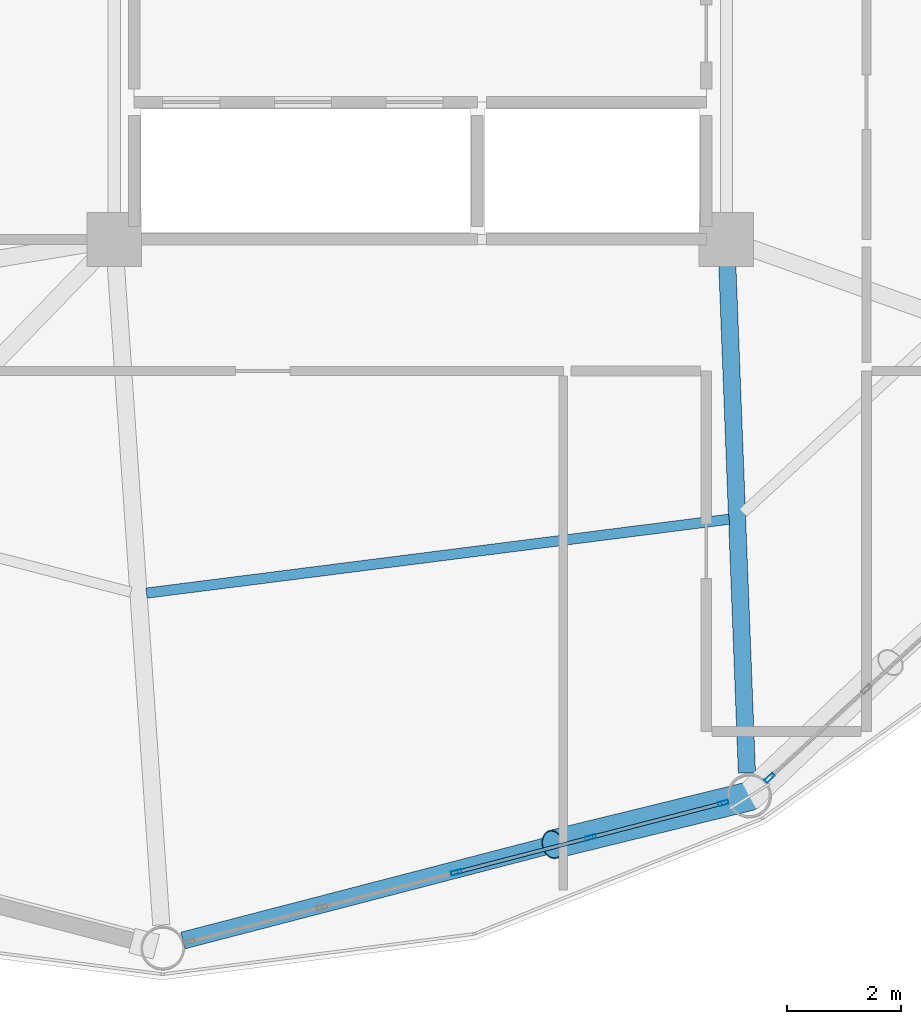
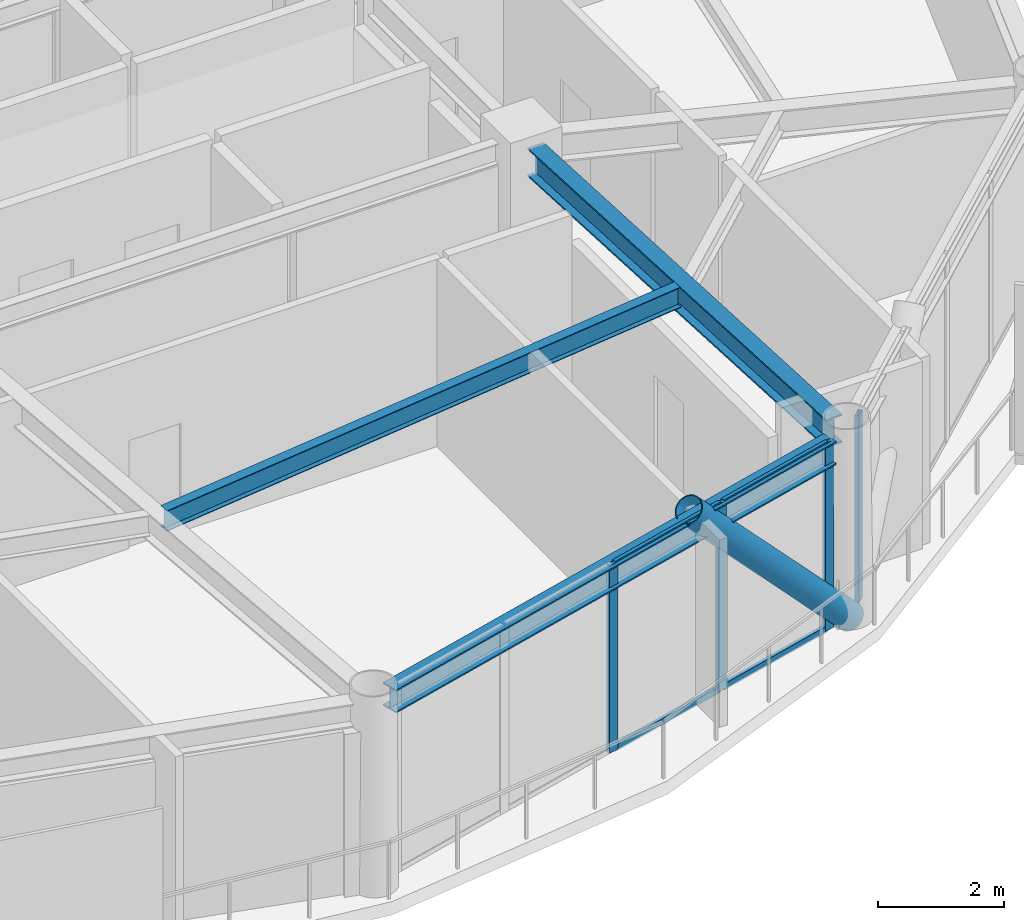
# One storey, part 8 of 25: 9 members, 3 beams, 2 elements without a shape of their own.
"""IFC4 building model written with IfcOpenShell, lengths in metres."""

from ifc_helpers import new_model, si_unit, direction, frame, origin, origin_2d, place, context, subcontext, project, spatial, hollow_rectangle, hollow_circle, i_section, extrude, material, layer, layer_set, material_profile, profile_set, type_object, element, aggregate, save


model = new_model("IFC4")

# Units and contexts
model_context = context("Model", 3, precision=1e-05, world=origin(), true_north=direction((0.0, 1.0)))
body_context = subcontext(model_context, "Body", "Model", "MODEL_VIEW")
ifc_project = project(units=[si_unit("LENGTHUNIT", "METRE"), si_unit("AREAUNIT", "SQUARE_METRE"), si_unit("VOLUMEUNIT", "CUBIC_METRE"), si_unit("PLANEANGLEUNIT", "RADIAN"), si_unit("MASSUNIT", "GRAM", prefix="KILO")], contexts=[model_context])

# Site, building, storey
site_placement = place(None, origin())
site = spatial("IfcSite", under=ifc_project, at=site_placement, CompositionType="ELEMENT")
building_placement = place(site_placement, origin())
building = spatial("IfcBuilding", under=site, at=building_placement, Name="Varnakorn Sky Granary", CompositionType="ELEMENT")
storey_placement = place(building_placement, frame((0.0, 0.0, 157.800048828125)))
storey = spatial("IfcBuildingStorey", under=building, at=storey_placement, Name="L39", CompositionType="ELEMENT", Elevation=157.800048828125)

# Beams
ifc_material_1 = material(Name="Steel S355JR", Category="steel")
ifc_material_profile_1 = material_profile(ifc_material_1, i_section(OverallWidth=0.300048828125, OverallDepth=0.550048828125, WebThickness=0.014892578125, FlangeThickness=0.029052734375, at=origin_2d()), Name="HE 550 B")
ifc_profile_set_1 = profile_set([ifc_material_profile_1], Name="Steel S355JR")
beam_type_1 = type_object("IfcBeamType", Name="BM-RAD-Z3", PredefinedType="BEAM", material=ifc_profile_set_1)
beam_1_placement = place(storey_placement, frame((8.3662109375, -7.019775390625, 3.364990234375), z_axis=(0.038575165943, -0.999255701296, 0.0), x_axis=(0.999255701296, 0.038575165943, 0.0)))
element("IfcBeam", 1, at=beam_1_placement, inside=storey, type_object=beam_type_1, Name="Radial Floor Girder RG11 L39", PredefinedType="BEAM", context=body_context, shape_type="SweptSolid", body=[
    extrude(i_section(OverallWidth=0.300048828125, OverallDepth=0.550048828125, WebThickness=0.014892578125, FlangeThickness=0.029052734375, at=origin_2d()), origin(), (0.0, 0.0, 1.0), 8.9111328125),
])
ifc_material_profile_2 = material_profile(ifc_material_1, i_section(OverallWidth=0.179931640625, OverallDepth=0.39990234375, WebThickness=0.008544921875, FlangeThickness=0.013427734375, at=origin_2d()), Name="IPE 400")
ifc_profile_set_2 = profile_set([ifc_material_profile_2], Name="Steel S355JR")
beam_type_2 = type_object("IfcBeamType", Name="BM-SEC-Z3", PredefinedType="BEAM", material=ifc_profile_set_2)
beam_2_placement = place(storey_placement, frame((-1.7841796875, -12.78173828125, 3.43994140625), z_axis=(0.992044529404, 0.125887456406, 0.0), x_axis=(-0.125887456406, 0.992044529404, 0.0)))
element("IfcBeam", 2, at=beam_2_placement, inside=storey, type_object=beam_type_2, Name="Secondary Floor Chord Beam MSB10 L39", PredefinedType="BEAM", context=body_context, shape_type="SweptSolid", body=[
    extrude(i_section(OverallWidth=0.179931640625, OverallDepth=0.39990234375, WebThickness=0.008544921875, FlangeThickness=0.013427734375, at=origin_2d()), origin(), (0.0, 0.0, 1.0), 10.264892578125),
])
ifc_material_profile_3 = material_profile(ifc_material_1, i_section(OverallWidth=0.300048828125, OverallDepth=0.449951171875, WebThickness=0.013916015625, FlangeThickness=0.02587890625, at=origin_2d()), Name="HE 450 B")
ifc_profile_set_3 = profile_set([ifc_material_profile_3], Name="Steel S355JR")
beam_type_3 = type_object("IfcBeamType", Name="BM-SPD-Z3", PredefinedType="SPANDREL", material=ifc_profile_set_3)
beam_3_placement = place(storey_placement, frame((-1.145751953125, -18.85302734375, 3.4150390625), z_axis=(0.967893589884, 0.251360296511, 0.0), x_axis=(-0.251360296511, 0.967893589884, 0.0)))
element("IfcBeam", 3, at=beam_3_placement, inside=storey, type_object=beam_type_3, Name="Perimeter Spandrel Ring Beam RB10 L39", PredefinedType="SPANDREL", context=body_context, shape_type="SweptSolid", body=[
    extrude(i_section(OverallWidth=0.300048828125, OverallDepth=0.449951171875, WebThickness=0.013916015625, FlangeThickness=0.02587890625, at=origin_2d()), origin(), (0.0, 0.0, 1.0), 9.831298828125),
])

# Curtain wall, members
ifc_material_2 = material(Name="Anodised Bronze Aluminium Alloy 6063-T6", Category="aluminium")
ifc_layer = layer(ifc_material_2, 0.179931640625, Name="Anodised Bronze Aluminium Alloy 6063-T6")
ifc_layer_set = layer_set([ifc_layer], Name="Anodised Bronze Aluminium Alloy 6063-T6")
curtain_wall_type = type_object("IfcCurtainWallType", Name="CW-FRM-2", PredefinedType="USERDEFINED", material=ifc_layer_set)
curtain_wall_1_placement = place(storey_placement, origin())
curtain_wall_1 = element("IfcCurtainWall", 4, at=curtain_wall_1_placement, inside=storey, type_object=curtain_wall_type, Name="Unitised Curtain Wall CW4 CW-L39-B10", ObjectType="CURTAIN WALL", PredefinedType="USERDEFINED")
ifc_material_profile_4 = material_profile(ifc_material_2, hollow_rectangle(XDim=0.070068359375, YDim=0.18505859375, WallThickness=0.00390625, at=origin_2d()), Name="ALU MULL 70x185")
ifc_profile_set_4 = profile_set([ifc_material_profile_4], Name="Anodised Bronze Aluminium Alloy 6063-T6")
member_type_1 = type_object("IfcMemberType", Name="CW-FRM-2-MULL", PredefinedType="MULLION", material=ifc_profile_set_4)
member_1_placement = place(storey_placement, frame((8.296630859375, -16.451171875, 0.0), z_axis=(0.0, 0.0, 1.0), x_axis=(0.251145766302, -0.967949277632, 0.0)))
member_1 = element("IfcMember", 5, at=member_1_placement, type_object=member_type_1, Name="CW4 mullion 1", PredefinedType="MULLION", context=body_context, shape_type="SweptSolid", body=[
    extrude(hollow_rectangle(XDim=0.070068359375, YDim=0.18505859375, WallThickness=0.00390625, at=origin_2d()), origin(), (0.0, 0.0, 1.0), 3.639892578125),
])
member_2_placement = place(storey_placement, frame((5.979736328125, -17.05224609375, 0.0), z_axis=(0.0, 0.0, 1.0), x_axis=(0.251145766302, -0.967949277632, 0.0)))
member_2 = element("IfcMember", 6, at=member_2_placement, type_object=member_type_1, Name="CW4 mullion 2", PredefinedType="MULLION", context=body_context, shape_type="SweptSolid", body=[
    extrude(hollow_rectangle(XDim=0.070068359375, YDim=0.18505859375, WallThickness=0.00390625, at=origin_2d()), origin(), (0.0, 0.0, 1.0), 3.639892578125),
])
member_3_placement = place(storey_placement, frame((3.628662109375, -17.662353515625, 0.0), z_axis=(0.0, 0.0, 1.0), x_axis=(0.251145766302, -0.967949277632, 0.0)))
member_3 = element("IfcMember", 7, at=member_3_placement, type_object=member_type_1, Name="CW4 mullion 3", PredefinedType="MULLION", context=body_context, shape_type="SweptSolid", body=[
    extrude(hollow_rectangle(XDim=0.070068359375, YDim=0.18505859375, WallThickness=0.00390625, at=origin_2d()), origin(), (0.0, 0.0, 1.0), 3.639892578125),
])

# Curtain wall, member
curtain_wall_2_placement = place(storey_placement, origin())
curtain_wall_2 = element("IfcCurtainWall", 8, at=curtain_wall_2_placement, inside=storey, type_object=curtain_wall_type, Name="Unitised Curtain Wall CW4 CW-L39-B11", ObjectType="CURTAIN WALL", PredefinedType="USERDEFINED")
member_4_placement = place(storey_placement, frame((9.10791015625, -16.009521484375, 0.0), z_axis=(0.0, 0.0, 1.0), x_axis=(0.676758169844, -0.73620539223, 0.0)))
member_4 = element("IfcMember", 9, at=member_4_placement, type_object=member_type_1, Name="CW4 mullion 5", PredefinedType="MULLION", context=body_context, shape_type="SweptSolid", body=[
    extrude(hollow_rectangle(XDim=0.070068359375, YDim=0.18505859375, WallThickness=0.00390625, at=origin_2d()), origin(), (0.0, 0.0, 1.0), 3.639892578125),
])
aggregate(curtain_wall_2, [member_4])

# Member
ifc_material_profile_5 = material_profile(ifc_material_2, hollow_rectangle(XDim=0.06494140625, YDim=0.1201171875, WallThickness=0.00341796875, at=origin_2d()), Name="ALU TRAN 65x120")
ifc_profile_set_5 = profile_set([ifc_material_profile_5], Name="Anodised Bronze Aluminium Alloy 6063-T6")
member_type_2 = type_object("IfcMemberType", Name="CW-FRM-2-TRAN", PredefinedType="USERDEFINED", material=ifc_profile_set_5)
member_5_placement = place(storey_placement, frame((8.262939453125, -16.4599609375, 0.032470703125), z_axis=(-0.967960020585, -0.251104357885, 0.0), x_axis=(0.251104357885, -0.967960020585, 0.0)))
member_5 = element("IfcMember", 10, at=member_5_placement, type_object=member_type_2, Name="CW4 transom 1.1", ObjectType="TRANSOM", PredefinedType="USERDEFINED", context=body_context, shape_type="SweptSolid", body=[
    extrude(hollow_rectangle(XDim=0.06494140625, YDim=0.1201171875, WallThickness=0.00341796875, at=origin_2d()), origin(), (0.0, 0.0, 1.0), 2.32373046875),
])

member_6_placement = place(storey_placement, frame((8.262939453125, -16.4599609375, 3.607421875), z_axis=(-0.967960020585, -0.251104357885, 0.0), x_axis=(0.251104357885, -0.967960020585, 0.0)))
member_6 = element("IfcMember", 11, at=member_6_placement, type_object=member_type_2, Name="CW4 transom 1.2", ObjectType="TRANSOM", PredefinedType="USERDEFINED", context=body_context, shape_type="SweptSolid", body=[
    extrude(hollow_rectangle(XDim=0.06494140625, YDim=0.1201171875, WallThickness=0.00341796875, at=origin_2d()), origin(), (0.0, 0.0, 1.0), 2.32373046875),
])

member_7_placement = place(storey_placement, frame((5.94580078125, -17.06103515625, 0.032470703125), z_axis=(-0.967936339532, -0.251195626181, 0.0), x_axis=(0.251195626181, -0.967936339532, 0.0)))
member_7 = element("IfcMember", 12, at=member_7_placement, type_object=member_type_2, Name="CW4 transom 2.1", ObjectType="TRANSOM", PredefinedType="USERDEFINED", context=body_context, shape_type="SweptSolid", body=[
    extrude(hollow_rectangle(XDim=0.06494140625, YDim=0.1201171875, WallThickness=0.00341796875, at=origin_2d()), origin(), (0.0, 0.0, 1.0), 2.35888671875),
])

member_8_placement = place(storey_placement, frame((5.94580078125, -17.06103515625, 3.607421875), z_axis=(-0.967936339532, -0.251195626181, 0.0), x_axis=(0.251195626181, -0.967936339532, 0.0)))
member_8 = element("IfcMember", 13, at=member_8_placement, type_object=member_type_2, Name="CW4 transom 2.2", ObjectType="TRANSOM", PredefinedType="USERDEFINED", context=body_context, shape_type="SweptSolid", body=[
    extrude(hollow_rectangle(XDim=0.06494140625, YDim=0.1201171875, WallThickness=0.00341796875, at=origin_2d()), origin(), (0.0, 0.0, 1.0), 2.35888671875),
])

aggregate(curtain_wall_1, [member_1, member_2, member_3, member_5, member_6, member_7, member_8])

ifc_material_3 = material(Name="Steel S460M", Category="steel")
ifc_material_profile_6 = material_profile(ifc_material_3, hollow_circle(Radius=0.25390625, WallThickness=0.01806640625, at=origin_2d()), Name="CHS 508x18")
ifc_profile_set_6 = profile_set([ifc_material_profile_6], Name="Steel S460M")
member_type_3 = type_object("IfcMemberType", Name="MB-DIAG-T2", PredefinedType="BRACE", material=ifc_profile_set_6)
member_9_placement = place(storey_placement, frame((8.757568359375, -16.33154296875, 0.0), z_axis=(-0.663323897557, -0.162525412652, 0.730470326004), x_axis=(0.237977504547, -0.971270666359, 0.0)))
element("IfcMember", 14, at=member_9_placement, inside=storey, type_object=member_type_3, Name="Perimeter CHS Diagrid Brace DG10 L39", PredefinedType="BRACE", context=body_context, shape_type="SweptSolid", body=[
    extrude(hollow_circle(Radius=0.25390625, WallThickness=0.01806640625, at=origin_2d()), origin(), (0.0, 0.0, 1.0), 5.1884765625),
])

save(model, "model.ifc")
